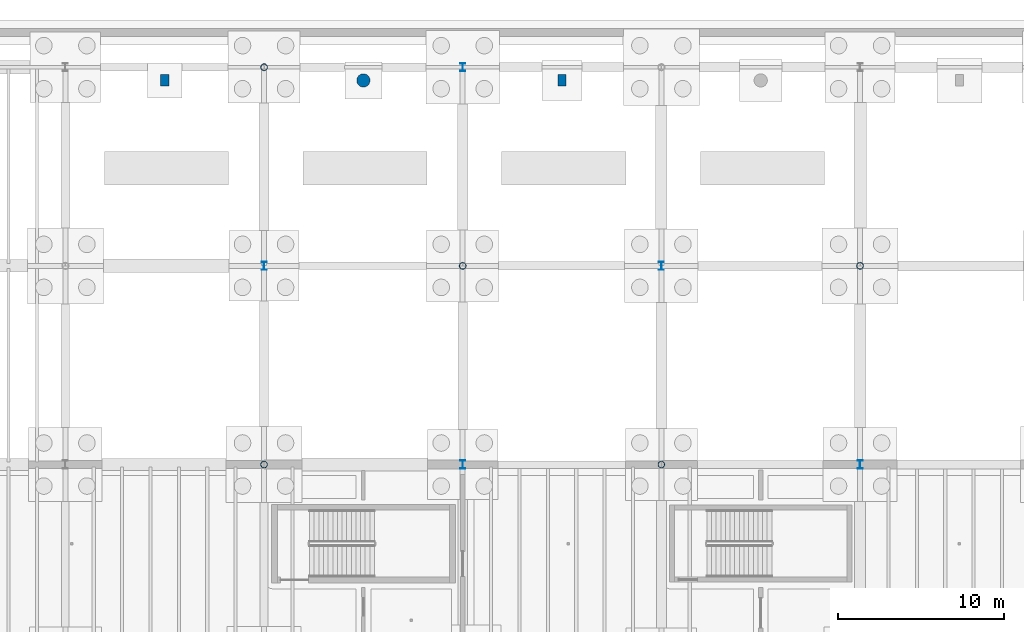
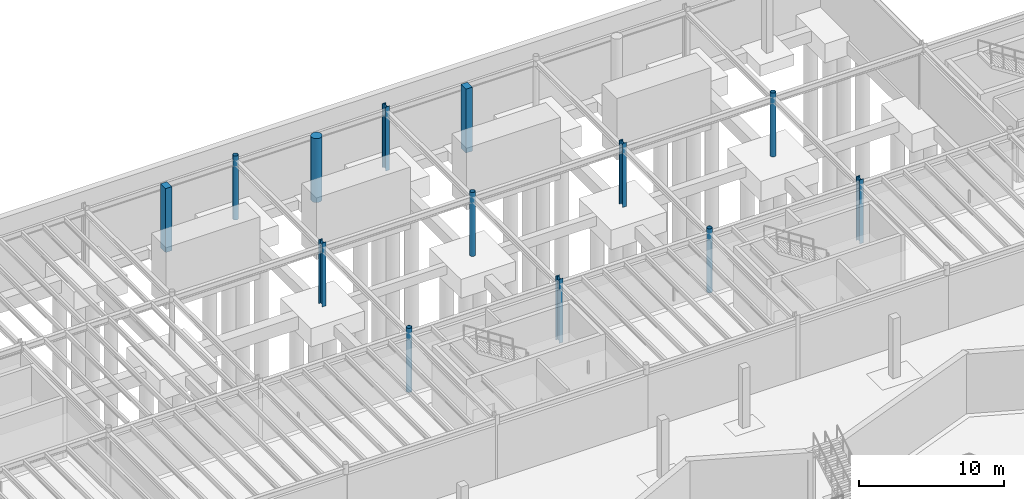
# One storey, part 17 of 67: 13 columns.
"""IFC4 building model written with IfcOpenShell, lengths in metres."""

import ifcopenshell
import ifcopenshell.guid

model = None  # the IFC model being written
_history = None  # IfcOwnerHistory: only IFC2X3 demands one
_inside = {}  # id of a spatial element -> (the spatial element, [elements in it])
_under = {}  # id of a project, library or spatial element -> (it, [spatial elements below it])
_declared = {}  # id of a project -> (the project, [libraries it declares])
_typed = {}  # id of a type object -> (the type object, [elements of that type])
_made_of = {}  # id of a material, layer set ... -> (it, [elements and type objects made of it])


def new_model(schema):
    """Start an empty IFC model of exactly this schema.

    Asked for "IFC4X3", IfcOpenShell would pick the latest addendum, in which some entities
    have other attributes; the version numbers below select the first issue.
    IFC2X3 requires an IfcOwnerHistory on every rooted entity: one is made here for all.
    """
    global model, _history
    if schema == "IFC4X3":
        model = ifcopenshell.file(schema_version=(4, 3, 0, 0))
    else:
        model = ifcopenshell.file(schema=schema)
    _inside.clear()
    _under.clear()
    _declared.clear()
    _typed.clear()
    _made_of.clear()
    _history = None
    if model.schema == "IFC2X3":
        org = make("IfcOrganization", Name="unknown")
        user = make(
            "IfcPersonAndOrganization",
            ThePerson=make("IfcPerson", FamilyName="unknown"),
            TheOrganization=org,
        )
        app = make(
            "IfcApplication",
            ApplicationDeveloper=org,
            Version="unknown",
            ApplicationFullName="unknown",
            ApplicationIdentifier="unknown",
        )
        _history = make(
            "IfcOwnerHistory",
            OwningUser=user,
            OwningApplication=app,
            ChangeAction="ADDED",
            CreationDate=0,
        )
    return model


def make(cls, **values):
    """One entity of the class cls with the attributes given. An attribute that is None is left unset."""
    return model.create_entity(
        cls, **{name: value for name, value in values.items() if value is not None}
    )


def rooted(cls, **values):
    """An entity with a GlobalId (a new one), such as an element, a storey or a relation."""
    return make(cls, GlobalId=ifcopenshell.guid.new(), OwnerHistory=_history, **values)


def si_unit(unit_type, name, prefix=None):
    """IfcSIUnit, for example si_unit("LENGTHUNIT", "METRE", prefix="MILLI")."""
    return make("IfcSIUnit", UnitType=unit_type, Prefix=prefix, Name=name)


def assignment(units):
    """IfcUnitAssignment: the units of a project."""
    return None if units is None else make("IfcUnitAssignment", Units=units)


def point(xyz):
    """IfcCartesianPoint."""
    return None if xyz is None else make("IfcCartesianPoint", Coordinates=xyz)


def direction(xyz):
    """IfcDirection."""
    return None if xyz is None else make("IfcDirection", DirectionRatios=xyz)


def frame(location, z_axis=None, x_axis=None):
    """IfcAxis2Placement3D, a coordinate frame: its origin and axes. An axis left out is left unset."""
    return make(
        "IfcAxis2Placement3D",
        Location=point(location),
        Axis=direction(z_axis),
        RefDirection=direction(x_axis),
    )


def frame_2d(location, x_axis=None):
    """IfcAxis2Placement2D, a coordinate frame in the plane: its origin and x axis."""
    return make(
        "IfcAxis2Placement2D", Location=point(location), RefDirection=direction(x_axis)
    )


def origin():
    """The frame at (0, 0, 0) with its axes left unset."""
    return frame((0.0, 0.0, 0.0))


def origin_2d():
    """The frame at (0, 0) in the plane with its x axis left unset."""
    return frame_2d((0.0, 0.0))


def place(relative_to, where):
    """IfcLocalPlacement: puts the frame where relative to a parent placement (None: the world)."""
    return make(
        "IfcLocalPlacement", PlacementRelTo=relative_to, RelativePlacement=where
    )


def context(
    kind, dimensions, precision=None, world=None, true_north=None, identifier=None
):
    """IfcGeometricRepresentationContext, for example the 3D "Model" context."""
    return make(
        "IfcGeometricRepresentationContext",
        ContextIdentifier=identifier,
        ContextType=kind,
        CoordinateSpaceDimension=dimensions,
        Precision=precision,
        WorldCoordinateSystem=world,
        TrueNorth=true_north,
    )


def subcontext(parent, identifier, kind, view, scale=None):
    """IfcGeometricRepresentationSubContext, for example "Body" below "Model"."""
    return make(
        "IfcGeometricRepresentationSubContext",
        ContextIdentifier=identifier,
        ContextType=kind,
        ParentContext=parent,
        TargetScale=scale,
        TargetView=view,
    )


def project(units=None, contexts=None):
    """IfcProject with its units and contexts."""
    return rooted(
        "IfcProject",
        Name="project",
        RepresentationContexts=contexts,
        UnitsInContext=assignment(units),
    )


def spatial(cls, under=None, at=None, **own):
    """A site, building, storey or space (cls), placed at a placement, below another one or the project."""
    s = rooted(cls, ObjectPlacement=at, **own)
    if under is not None:
        _under.setdefault(under.id(), (under, []))[1].append(s)
    return s


def profile(cls, at=None, kind="AREA", **sizes):
    """A parametric profile (cls). Its sizes go by their IFC names, for example OverallWidth=200.0."""
    return make(cls, ProfileType=kind, Position=at, **sizes)


def rectangle(**sizes):
    """IfcRectangleProfileDef."""
    return profile("IfcRectangleProfileDef", **sizes)


def circle(**sizes):
    """IfcCircleProfileDef."""
    return profile("IfcCircleProfileDef", **sizes)


def hollow_circle(**sizes):
    """IfcCircleHollowProfileDef."""
    return profile("IfcCircleHollowProfileDef", **sizes)


def i_section(**sizes):
    """IfcIShapeProfileDef."""
    return profile("IfcIShapeProfileDef", **sizes)


def extrude(swept, where, along, depth):
    """IfcExtrudedAreaSolid: the profile swept, set in the frame where, extruded along a direction by depth."""
    return make(
        "IfcExtrudedAreaSolid",
        SweptArea=swept,
        Position=where,
        ExtrudedDirection=direction(along),
        Depth=depth,
    )


def shape(context_of_items, identifier, shape_type, items):
    """IfcShapeRepresentation: the items that make up one representation, for example the "Body"."""
    return make(
        "IfcShapeRepresentation",
        ContextOfItems=context_of_items,
        RepresentationIdentifier=identifier,
        RepresentationType=shape_type,
        Items=items,
    )


def material(Name=None, Category=None):
    """IfcMaterial."""
    return make("IfcMaterial", Name=Name, Category=Category)


def material_profile(
    of_material, cross_section, Name=None, Category=None, Priority=None
):
    """IfcMaterialProfile: a cross section and its material."""
    return make(
        "IfcMaterialProfile",
        Name=Name,
        Material=of_material,
        Profile=cross_section,
        Priority=Priority,
        Category=Category,
    )


def profile_set(profiles, Name=None, composite=None):
    """IfcMaterialProfileSet."""
    return make(
        "IfcMaterialProfileSet",
        Name=Name,
        MaterialProfiles=profiles,
        CompositeProfile=composite,
    )


def made_of(thing, what):
    """Note that an element or type object is made of a material, layer set ...; save() writes the relation."""
    if what is not None:
        _made_of.setdefault(what.id(), (what, []))[1].append(thing)
    return thing


def type_object(cls, material=None, **own):
    """A type object (cls), such as IfcWallType, which elements share."""
    return made_of(rooted(cls, **own), material)


def element(
    cls,
    number,
    at=None,
    inside=None,
    cuts=None,
    type_object=None,
    material=None,
    context=None,
    identifier="Body",
    shape_type=None,
    held_by="IfcProductDefinitionShape",
    body=None,
    shapes=None,
    **own,
):
    """One element of the class cls, such as IfcWall. Its Tag is "e" and its number.

    at: its placement. inside: the storey or other place that contains it. cuts: it is an
    opening in that element (IfcRelVoidsElement). A single representation is given by context,
    identifier, shape_type and body (its items); several are given by shapes. held_by: the class
    of the entity that holds the representations. save() writes the other relations.
    """
    e = rooted(cls, Tag="e%d" % number, ObjectPlacement=at, **own)
    if body is not None:
        shapes = [shape(context, identifier, shape_type, body)]
    if shapes is not None:
        e.Representation = make(held_by, Representations=shapes)
    if inside is not None:
        _inside.setdefault(inside.id(), (inside, []))[1].append(e)
    if cuts is not None:
        rooted(
            "IfcRelVoidsElement", RelatingBuildingElement=cuts, RelatedOpeningElement=e
        )
    if type_object is not None:
        _typed.setdefault(type_object.id(), (type_object, []))[1].append(e)
    return made_of(e, material)


def aggregate(whole, parts):
    """IfcRelAggregates: a whole, such as a stair, and the parts it consists of."""
    return rooted("IfcRelAggregates", RelatingObject=whole, RelatedObjects=parts)


def save(model, path):
    """Write the relations noted so far, then the file.

    IfcRelAggregates (storeys below a building ...), IfcRelContainedInSpatialStructure (elements
    in a storey), IfcRelDefinesByType, IfcRelAssociatesMaterial and IfcRelDeclares: one each for
    every whole, place, type object, material and project.
    """
    for whole, parts in _under.values():
        aggregate(whole, parts)
    for where, things in _inside.values():
        rooted(
            "IfcRelContainedInSpatialStructure",
            RelatedElements=things,
            RelatingStructure=where,
        )
    for kind, things in _typed.values():
        rooted("IfcRelDefinesByType", RelatedObjects=things, RelatingType=kind)
    for what, things in _made_of.values():
        rooted("IfcRelAssociatesMaterial", RelatedObjects=things, RelatingMaterial=what)
    for by, libraries in _declared.values():
        rooted("IfcRelDeclares", RelatingContext=by, RelatedDefinitions=libraries)
    model.write(path)


model = new_model("IFC4")

# Units and contexts
model_context = context("Model", 3, precision=1e-05, world=origin(), true_north=direction((0.0, 1.0)))
body_context = subcontext(model_context, "Body", "Model", "MODEL_VIEW")
ifc_project = project(units=[si_unit("LENGTHUNIT", "METRE"), si_unit("AREAUNIT", "SQUARE_METRE"), si_unit("VOLUMEUNIT", "CUBIC_METRE"), si_unit("PLANEANGLEUNIT", "RADIAN"), si_unit("MASSUNIT", "GRAM", prefix="KILO")], contexts=[model_context])

# Site, building, storey
site_placement = place(None, origin())
site = spatial("IfcSite", under=ifc_project, at=site_placement, CompositionType="ELEMENT")
building_placement = place(site_placement, origin())
building = spatial("IfcBuilding", under=site, at=building_placement, Name="Zlatogorsky Bluff Art Gallery", CompositionType="ELEMENT")
storey_placement = place(building_placement, frame((0.0, 0.0, -5.39990234375)))
storey = spatial("IfcBuildingStorey", under=building, at=storey_placement, Name="B1", CompositionType="ELEMENT", Elevation=-5.39990234375)

# Columns
ifc_material_1 = material(Name="Steel S355", Category="steel")
ifc_material_profile_1 = material_profile(ifc_material_1, i_section(OverallWidth=0.300048828125, OverallDepth=0.5, WebThickness=0.014404296875, FlangeThickness=0.028076171875, FilletRadius=0.027099609375, at=origin_2d()), Name="HEB 500")
ifc_profile_set_1 = profile_set([ifc_material_profile_1], Name="Steel S355")
column_type_1 = type_object("IfcColumnType", Name="Column CL-02 HEB 500", PredefinedType="COLUMN", material=ifc_profile_set_1)
for number, where, z_axis, x_axis, name in (
    (1, (72.0, 108.0, 0.0), (0.0, 0.0, 1.0), (1.0, 0.0, 0.0), "Column CL-02 B1 G11"),
    (2, (84.0, 96.0, 0.0), (0.0, 0.0, 1.0), (1.0, 0.0, 0.0), "Column CL-02 B1 H10"),
    (3, (84.0, 120.0, 0.0), (0.0, 0.0, 1.0), (1.0, 0.0, 0.0), "Column CL-02 B1 H12"),
    (4, (96.0, 108.0, 0.0), (0.0, 0.0, 1.0), (1.0, 0.0, 0.0), "Column CL-02 B1 J11"),
    (5, (108.0, 96.0, 0.0), (0.0, 0.0, 1.0), (1.0, 0.0, 0.0), "Column CL-02 B1 K10"),
):
    element("IfcColumn", number, at=place(storey_placement, frame(where, z_axis=z_axis, x_axis=x_axis)), inside=storey, type_object=column_type_1, Name=name, PredefinedType="COLUMN", context=body_context, shape_type="SweptSolid", body=[
        extrude(i_section(OverallWidth=0.300048828125, OverallDepth=0.5, WebThickness=0.014404296875, FlangeThickness=0.028076171875, FilletRadius=0.027099609375, at=origin_2d()), origin(), (0.0, 0.0, 1.0), 5.39990234375),
    ])
ifc_material_profile_2 = material_profile(ifc_material_1, hollow_circle(Radius=0.203125, WallThickness=0.01611328125, at=origin_2d()), Name="CHS 406.4x16")
ifc_profile_set_2 = profile_set([ifc_material_profile_2], Name="Steel S355")
column_type_2 = type_object("IfcColumnType", Name="Column CL-09 CHS 406.4x16", PredefinedType="COLUMN", material=ifc_profile_set_2)
for number, where, z_axis, x_axis, name in (
    (6, (72.0, 96.0, 0.0), (0.0, 0.0, 1.0), (1.0, 0.0, 0.0), "Column CL-09 B1 G10"),
    (7, (72.0, 120.0, 0.0), (0.0, 0.0, 1.0), (1.0, 0.0, 0.0), "Column CL-09 B1 G12"),
    (8, (84.0, 108.0, 0.0), (0.0, 0.0, 1.0), (1.0, 0.0, 0.0), "Column CL-09 B1 H11"),
    (9, (96.0, 96.0, 0.0), (0.0, 0.0, 1.0), (1.0, 0.0, 0.0), "Column CL-09 B1 J10"),
    (10, (108.0, 108.0, 0.0), (0.0, 0.0, 1.0), (1.0, 0.0, 0.0), "Column CL-09 B1 K11"),
):
    element("IfcColumn", number, at=place(storey_placement, frame(where, z_axis=z_axis, x_axis=x_axis)), inside=storey, type_object=column_type_2, Name=name, PredefinedType="COLUMN", context=body_context, shape_type="SweptSolid", body=[
        extrude(hollow_circle(Radius=0.203125, WallThickness=0.01611328125, at=origin_2d()), origin(), (0.0, 0.0, 1.0), 5.39990234375),
    ])
ifc_material_2 = material(Name="Concrete C35/45", Category="concrete")
ifc_material_profile_3 = material_profile(ifc_material_2, rectangle(XDim=0.5, YDim=0.699951171875, at=origin_2d()), Name="RC PILASTER 500x700")
ifc_profile_set_3 = profile_set([ifc_material_profile_3], Name="Concrete C35/45")
column_type_3 = type_object("IfcColumnType", Name="Column PL-C1 RC PILASTER 500x700", PredefinedType="PILASTER", material=ifc_profile_set_3)
for number, where, z_axis, x_axis, name in (
    (11, (66.0, 119.199951171875, 0.0), (0.0, 0.0, 1.0), (1.0, 0.0, 0.0), "Substructure pier PL-C1 1"),
    (12, (90.0, 119.199951171875, 0.0), (0.0, 0.0, 1.0), (1.0, 0.0, 0.0), "Substructure pier PL-C1 3"),
):
    element("IfcColumn", number, at=place(storey_placement, frame(where, z_axis=z_axis, x_axis=x_axis)), inside=storey, type_object=column_type_3, Name=name, PredefinedType="PILASTER", context=body_context, shape_type="SweptSolid", body=[
        extrude(rectangle(XDim=0.5, YDim=0.699951171875, at=origin_2d()), origin(), (0.0, 0.0, 1.0), 5.39990234375),
    ])
ifc_material_profile_4 = material_profile(ifc_material_2, circle(Radius=0.39990234375, at=origin_2d()), Name="RC D800")
ifc_profile_set_4 = profile_set([ifc_material_profile_4], Name="Concrete C35/45")
column_type_4 = type_object("IfcColumnType", Name="Column PL-C2 RC D800", PredefinedType="PILASTER", material=ifc_profile_set_4)
column_placement = place(storey_placement, frame((78.0, 119.199951171875, 0.0), z_axis=(0.0, 0.0, 1.0), x_axis=(1.0, 0.0, 0.0)))
element("IfcColumn", 13, at=column_placement, inside=storey, type_object=column_type_4, Name="Substructure pier PL-C2 2", PredefinedType="PILASTER", context=body_context, shape_type="SweptSolid", body=[
    extrude(circle(Radius=0.39990234375, at=origin_2d()), origin(), (0.0, 0.0, 1.0), 5.39990234375),
])

save(model, "model.ifc")
